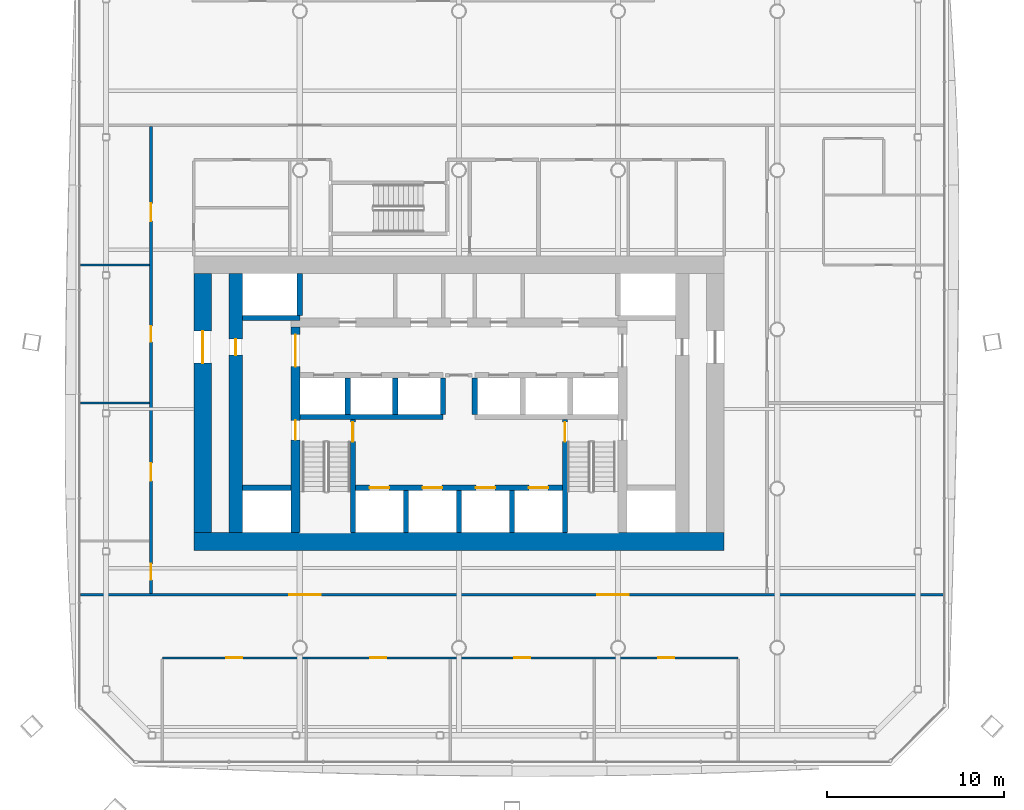
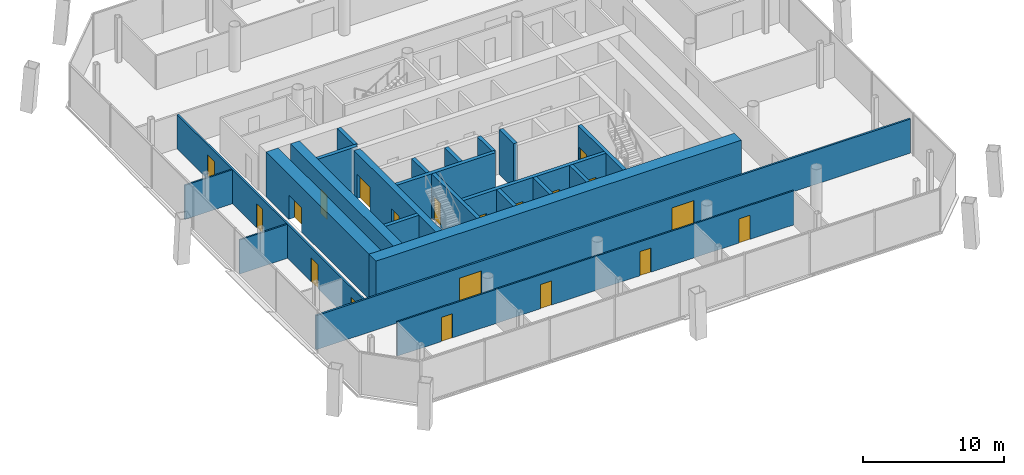
# One storey, part 11 of 19: 23 walls, 20 doors, 20 openings.
"""IFC4 building model written with IfcOpenShell, lengths in metres."""

from ifc_helpers import new_model, si_unit, direction, frame, frame_2d, origin, place, context, subcontext, project, spatial, rectangle, extrude, material, layer, layer_set, type_object, element, fill, save


model = new_model("IFC4")

# Units and contexts
model_context = context("Model", 3, precision=1e-05, world=origin(), true_north=direction((0.0, 1.0)))
body_context = subcontext(model_context, "Body", "Model", "MODEL_VIEW")
ifc_project = project(units=[si_unit("LENGTHUNIT", "METRE"), si_unit("AREAUNIT", "SQUARE_METRE"), si_unit("VOLUMEUNIT", "CUBIC_METRE"), si_unit("PLANEANGLEUNIT", "RADIAN"), si_unit("MASSUNIT", "GRAM", prefix="KILO")], contexts=[model_context])

# Site, building, storey
site_placement = place(None, origin())
site = spatial("IfcSite", under=ifc_project, at=site_placement, CompositionType="ELEMENT")
building_placement = place(site_placement, origin())
building = spatial("IfcBuilding", under=site, at=building_placement, Name="Tskaro Facet Tower", CompositionType="ELEMENT")
storey_placement = place(building_placement, frame((0.0, 0.0, 93.300048828125)))
storey = spatial("IfcBuildingStorey", under=building, at=storey_placement, Name="L22", CompositionType="ELEMENT", Elevation=93.300048828125)

# Wall
ifc_material_1 = material(Name="Concrete C60/75", Category="concrete")
ifc_layer_1 = layer(ifc_material_1, 0.300048828125, Name="Concrete C60/75")
ifc_layer_set_1 = layer_set([ifc_layer_1], Name="Concrete C60/75")
wall_type_1 = type_object("IfcWallType", Name="CORE-SHAFT", PredefinedType="SHEAR", material=ifc_layer_set_1)
wall_1_placement = place(storey_placement, frame((-12.25, -8.949951171875, 0.0), z_axis=(0.0, 0.0, 1.0), x_axis=(1.0, 0.0, 0.0)))
element("IfcWall", 1, at=wall_1_placement, inside=storey, type_object=wall_type_1, Name="Shaft wall W004", PredefinedType="SHEAR", context=body_context, shape_type="SweptSolid", body=[
    extrude(rectangle(XDim=2.75, YDim=0.300048828125, at=frame_2d((1.375, 0.0))), origin(), (0.0, 0.0, 1.0), 3.89990234375),
])

# Wall, openings, doors
wall_2_placement = place(storey_placement, frame((-5.85009765625, -8.949951171875, 0.0), z_axis=(0.0, 0.0, 1.0), x_axis=(1.0, 0.0, 0.0)))
wall_2 = element("IfcWall", 2, at=wall_2_placement, inside=storey, type_object=wall_type_1, Name="Shaft wall W005", PredefinedType="SHEAR", context=body_context, shape_type="SweptSolid", body=[
    extrude(rectangle(XDim=11.7001953125, YDim=0.300048828125, at=frame_2d((5.85009765625, 0.0))), origin(), (0.0, 0.0, 1.0), 3.89990234375),
])
opening_1_placement = place(wall_2_placement, frame((0.800048828125, 0.0, 0.0)))
opening_1 = element("IfcOpeningElement", 3, at=opening_1_placement, cuts=wall_2, Name="Opening LD-FF1", PredefinedType="OPENING", context=body_context, shape_type="SweptSolid", body=[
    extrude(rectangle(XDim=1.10009765625, YDim=2.10009765625, at=frame_2d((0.550048828125, 1.050048828125))), frame((0.0, 0.159912109375, 0.0), z_axis=(0.0, -1.0, 0.0), x_axis=(1.0, 0.0, 0.0)), (0.0, 0.0, 1.0), 0.320068359375),
])
opening_2_placement = place(wall_2_placement, frame((3.800048828125, 0.0, 0.0)))
opening_2 = element("IfcOpeningElement", 4, at=opening_2_placement, cuts=wall_2, Name="Opening LD-FF2", PredefinedType="OPENING", context=body_context, shape_type="SweptSolid", body=[
    extrude(rectangle(XDim=1.10009765625, YDim=2.10009765625, at=frame_2d((0.550048828125, 1.050048828125))), frame((0.0, 0.159912109375, 0.0), z_axis=(0.0, -1.0, 0.0), x_axis=(1.0, 0.0, 0.0)), (0.0, 0.0, 1.0), 0.320068359375),
])
opening_3_placement = place(wall_2_placement, frame((6.800048828125, 0.0, 0.0)))
opening_3 = element("IfcOpeningElement", 5, at=opening_3_placement, cuts=wall_2, Name="Opening LD-SV1", PredefinedType="OPENING", context=body_context, shape_type="SweptSolid", body=[
    extrude(rectangle(XDim=1.10009765625, YDim=2.10009765625, at=frame_2d((0.550048828125, 1.050048828125))), frame((0.0, 0.159912109375, 0.0), z_axis=(0.0, -1.0, 0.0), x_axis=(1.0, 0.0, 0.0)), (0.0, 0.0, 1.0), 0.320068359375),
])
opening_4_placement = place(wall_2_placement, frame((9.800048828125, 0.0, 0.0)))
opening_4 = element("IfcOpeningElement", 6, at=opening_4_placement, cuts=wall_2, Name="Opening LD-SV2", PredefinedType="OPENING", context=body_context, shape_type="SweptSolid", body=[
    extrude(rectangle(XDim=1.10009765625, YDim=2.10009765625, at=frame_2d((0.550048828125, 1.050048828125))), frame((0.0, 0.159912109375, 0.0), z_axis=(0.0, -1.0, 0.0), x_axis=(1.0, 0.0, 0.0)), (0.0, 0.0, 1.0), 0.320068359375),
])
ifc_material_2 = material(Name="Stainless steel", Category="steel")
door_type_1 = type_object("IfcDoorType", Name="D-LANDING", OperationType="NOTDEFINED", PredefinedType="DOOR", material=ifc_material_2)
door_1_placement = place(opening_1_placement, origin())
door_1 = element("IfcDoor", 7, at=door_1_placement, inside=storey, type_object=door_type_1, Name="Landing door FF1", OperationType="DOUBLE_DOOR_SLIDING", OverallHeight=2.10009765625, OverallWidth=1.10009765625, PredefinedType="DOOR", context=body_context, shape_type="SweptSolid", body=[
    extrude(rectangle(XDim=1.10009765625, YDim=2.10009765625, at=frame_2d((0.550048828125, 1.050048828125))), frame((0.0, 0.02490234375, 0.0), z_axis=(0.0, -1.0, 0.0), x_axis=(1.0, 0.0, 0.0)), (0.0, 0.0, 1.0), 0.050048828125),
])
fill(opening_1, door_1)
door_2_placement = place(opening_2_placement, origin())
door_2 = element("IfcDoor", 8, at=door_2_placement, inside=storey, type_object=door_type_1, Name="Landing door FF2", OperationType="DOUBLE_DOOR_SLIDING", OverallHeight=2.10009765625, OverallWidth=1.10009765625, PredefinedType="DOOR", context=body_context, shape_type="SweptSolid", body=[
    extrude(rectangle(XDim=1.10009765625, YDim=2.10009765625, at=frame_2d((0.550048828125, 1.050048828125))), frame((0.0, 0.02490234375, 0.0), z_axis=(0.0, -1.0, 0.0), x_axis=(1.0, 0.0, 0.0)), (0.0, 0.0, 1.0), 0.050048828125),
])
fill(opening_2, door_2)
door_3_placement = place(opening_3_placement, origin())
door_3 = element("IfcDoor", 9, at=door_3_placement, inside=storey, type_object=door_type_1, Name="Landing door SV1", OperationType="DOUBLE_DOOR_SLIDING", OverallHeight=2.10009765625, OverallWidth=1.10009765625, PredefinedType="DOOR", context=body_context, shape_type="SweptSolid", body=[
    extrude(rectangle(XDim=1.10009765625, YDim=2.10009765625, at=frame_2d((0.550048828125, 1.050048828125))), frame((0.0, 0.02490234375, 0.0), z_axis=(0.0, -1.0, 0.0), x_axis=(1.0, 0.0, 0.0)), (0.0, 0.0, 1.0), 0.050048828125),
])
fill(opening_3, door_3)
door_4_placement = place(opening_4_placement, origin())
door_4 = element("IfcDoor", 10, at=door_4_placement, inside=storey, type_object=door_type_1, Name="Landing door SV2", OperationType="DOUBLE_DOOR_SLIDING", OverallHeight=2.10009765625, OverallWidth=1.10009765625, PredefinedType="DOOR", context=body_context, shape_type="SweptSolid", body=[
    extrude(rectangle(XDim=1.10009765625, YDim=2.10009765625, at=frame_2d((0.550048828125, 1.050048828125))), frame((0.0, 0.02490234375, 0.0), z_axis=(0.0, -1.0, 0.0), x_axis=(1.0, 0.0, 0.0)), (0.0, 0.0, 1.0), 0.050048828125),
])
fill(opening_4, door_4)

# Walls
wall_3_placement = place(storey_placement, frame((-9.0, -4.949951171875, 0.0), z_axis=(0.0, 0.0, 1.0), x_axis=(1.0, 0.0, 0.0)))
element("IfcWall", 11, at=wall_3_placement, inside=storey, type_object=wall_type_1, Name="Shaft wall W007", PredefinedType="SHEAR", context=body_context, shape_type="SweptSolid", body=[
    extrude(rectangle(XDim=8.10009765625, YDim=0.300048828125, at=frame_2d((4.050048828125, 0.0))), origin(), (0.0, 0.0, 1.0), 3.89990234375),
])
wall_4_placement = place(storey_placement, frame((-9.0, 0.64990234375, 0.0), z_axis=(0.0, 0.0, 1.0), x_axis=(-1.0, 0.0, 0.0)))
element("IfcWall", 12, at=wall_4_placement, inside=storey, type_object=wall_type_1, Name="Shaft wall W014", PredefinedType="SHEAR", context=body_context, shape_type="SweptSolid", body=[
    extrude(rectangle(XDim=3.25, YDim=0.300048828125, at=frame_2d((1.625, 0.0))), origin(), (0.0, 0.0, 1.0), 3.89990234375),
])
wall_5_placement = place(storey_placement, frame((-9.0, 0.800048828125, 0.0), z_axis=(0.0, 0.0, 1.0), x_axis=(0.0, 1.0, 0.0)))
element("IfcWall", 13, at=wall_5_placement, inside=storey, type_object=wall_type_1, Name="Shaft wall W033", PredefinedType="SHEAR", context=body_context, shape_type="SweptSolid", body=[
    extrude(rectangle(XDim=2.349853515625, YDim=0.300048828125, at=frame_2d((1.1748046875, 0.0))), origin(), (0.0, 0.0, 1.0), 3.89990234375),
])
wall_6_placement = place(storey_placement, frame((-6.300048828125, -4.800048828125, 0.0), z_axis=(0.0, 0.0, 1.0), x_axis=(0.0, 1.0, 0.0)))
element("IfcWall", 14, at=wall_6_placement, inside=storey, type_object=wall_type_1, Name="Shaft wall W039", PredefinedType="SHEAR", context=body_context, shape_type="SweptSolid", body=[
    extrude(rectangle(XDim=2.050048828125, YDim=0.300048828125, at=frame_2d((1.02490234375, 0.0))), origin(), (0.0, 0.0, 1.0), 3.89990234375),
])

# Wall, opening, door
wall_7_placement = place(storey_placement, frame((-6.0, -11.5, 0.0), z_axis=(0.0, 0.0, 1.0), x_axis=(0.0, 1.0, 0.0)))
wall_7 = element("IfcWall", 15, at=wall_7_placement, inside=storey, type_object=wall_type_1, Name="Shaft wall W040", PredefinedType="SHEAR", context=body_context, shape_type="SweptSolid", body=[
    extrude(rectangle(XDim=6.39990234375, YDim=0.300048828125, at=frame_2d((3.199951171875, 0.0))), origin(), (0.0, 0.0, 1.0), 3.89990234375),
])
opening_5_placement = place(wall_7_placement, frame((5.14990234375, 0.0, 0.0)))
opening_5 = element("IfcOpeningElement", 16, at=opening_5_placement, cuts=wall_7, Name="Opening ST-1-D1", PredefinedType="OPENING", context=body_context, shape_type="SweptSolid", body=[
    extrude(rectangle(XDim=1.10009765625, YDim=2.10009765625, at=frame_2d((0.550048828125, 1.050048828125))), frame((0.0, 0.159912109375, 0.0), z_axis=(0.0, -1.0, 0.0), x_axis=(1.0, 0.0, 0.0)), (0.0, 0.0, 1.0), 0.320068359375),
])
ifc_material_3 = material(Name="Steel", Category="steel")
door_type_2 = type_object("IfcDoorType", Name="D-STAIR", OperationType="NOTDEFINED", PredefinedType="DOOR", material=ifc_material_3)
door_5_placement = place(opening_5_placement, origin())
door_5 = element("IfcDoor", 17, at=door_5_placement, inside=storey, type_object=door_type_2, Name="Stair door 1", OperationType="SINGLE_SWING_LEFT", OverallHeight=2.10009765625, OverallWidth=1.10009765625, PredefinedType="DOOR", context=body_context, shape_type="SweptSolid", body=[
    extrude(rectangle(XDim=1.10009765625, YDim=2.10009765625, at=frame_2d((0.550048828125, 1.050048828125))), frame((0.0, 0.02490234375, 0.0), z_axis=(0.0, -1.0, 0.0), x_axis=(1.0, 0.0, 0.0)), (0.0, 0.0, 1.0), 0.050048828125),
])
fill(opening_5, door_5)

# Walls
wall_8_placement = place(storey_placement, frame((-3.60009765625, -4.800048828125, 0.0), z_axis=(0.0, 0.0, 1.0), x_axis=(0.0, 1.0, 0.0)))
element("IfcWall", 18, at=wall_8_placement, inside=storey, type_object=wall_type_1, Name="Shaft wall W041", PredefinedType="SHEAR", context=body_context, shape_type="SweptSolid", body=[
    extrude(rectangle(XDim=2.050048828125, YDim=0.300048828125, at=frame_2d((1.02490234375, 0.0))), origin(), (0.0, 0.0, 1.0), 3.89990234375),
])
wall_9_placement = place(storey_placement, frame((-3.0, -11.5, 0.0), z_axis=(0.0, 0.0, 1.0), x_axis=(0.0, 1.0, 0.0)))
element("IfcWall", 19, at=wall_9_placement, inside=storey, type_object=wall_type_1, Name="Shaft wall W043", PredefinedType="SHEAR", context=body_context, shape_type="SweptSolid", body=[
    extrude(rectangle(XDim=2.39990234375, YDim=0.300048828125, at=frame_2d((1.199951171875, 0.0))), origin(), (0.0, 0.0, 1.0), 3.89990234375),
])
wall_10_placement = place(storey_placement, frame((-0.89990234375, -4.800048828125, 0.0), z_axis=(0.0, 0.0, 1.0), x_axis=(0.0, 1.0, 0.0)))
element("IfcWall", 20, at=wall_10_placement, inside=storey, type_object=wall_type_1, Name="Shaft wall W044", PredefinedType="SHEAR", context=body_context, shape_type="SweptSolid", body=[
    extrude(rectangle(XDim=2.050048828125, YDim=0.300048828125, at=frame_2d((1.02490234375, 0.0))), origin(), (0.0, 0.0, 1.0), 3.89990234375),
])
wall_11_placement = place(storey_placement, frame((0.0, -11.5, 0.0), z_axis=(0.0, 0.0, 1.0), x_axis=(0.0, 1.0, 0.0)))
element("IfcWall", 21, at=wall_11_placement, inside=storey, type_object=wall_type_1, Name="Shaft wall W049", PredefinedType="SHEAR", context=body_context, shape_type="SweptSolid", body=[
    extrude(rectangle(XDim=2.39990234375, YDim=0.300048828125, at=frame_2d((1.199951171875, 0.0))), origin(), (0.0, 0.0, 1.0), 3.89990234375),
])
wall_12_placement = place(storey_placement, frame((0.89990234375, -4.800048828125, 0.0), z_axis=(0.0, 0.0, 1.0), x_axis=(0.0, 1.0, 0.0)))
element("IfcWall", 22, at=wall_12_placement, inside=storey, type_object=wall_type_1, Name="Shaft wall W051", PredefinedType="SHEAR", context=body_context, shape_type="SweptSolid", body=[
    extrude(rectangle(XDim=2.050048828125, YDim=0.300048828125, at=frame_2d((1.02490234375, 0.0))), origin(), (0.0, 0.0, 1.0), 3.89990234375),
])
wall_13_placement = place(storey_placement, frame((3.0, -11.5, 0.0), z_axis=(0.0, 0.0, 1.0), x_axis=(0.0, 1.0, 0.0)))
element("IfcWall", 23, at=wall_13_placement, inside=storey, type_object=wall_type_1, Name="Shaft wall W053", PredefinedType="SHEAR", context=body_context, shape_type="SweptSolid", body=[
    extrude(rectangle(XDim=2.39990234375, YDim=0.300048828125, at=frame_2d((1.199951171875, 0.0))), origin(), (0.0, 0.0, 1.0), 3.89990234375),
])

# Wall, opening, door
wall_14_placement = place(storey_placement, frame((6.0, -5.10009765625, 0.0), z_axis=(0.0, 0.0, 1.0), x_axis=(0.0, -1.0, 0.0)))
wall_14 = element("IfcWall", 24, at=wall_14_placement, inside=storey, type_object=wall_type_1, Name="Shaft wall W057", PredefinedType="SHEAR", context=body_context, shape_type="SweptSolid", body=[
    extrude(rectangle(XDim=6.39990234375, YDim=0.300048828125, at=frame_2d((3.199951171875, 0.0))), origin(), (0.0, 0.0, 1.0), 3.89990234375),
])
opening_6_placement = place(wall_14_placement, frame((0.14990234375, 0.0, 0.0)))
opening_6 = element("IfcOpeningElement", 25, at=opening_6_placement, cuts=wall_14, Name="Opening ST-2-D1", PredefinedType="OPENING", context=body_context, shape_type="SweptSolid", body=[
    extrude(rectangle(XDim=1.10009765625, YDim=2.10009765625, at=frame_2d((0.550048828125, 1.050048828125))), frame((0.0, 0.159912109375, 0.0), z_axis=(0.0, -1.0, 0.0), x_axis=(1.0, 0.0, 0.0)), (0.0, 0.0, 1.0), 0.320068359375),
])
door_6_placement = place(opening_6_placement, origin())
door_6 = element("IfcDoor", 26, at=door_6_placement, inside=storey, type_object=door_type_2, Name="Stair door 2", OperationType="SINGLE_SWING_RIGHT", OverallHeight=2.10009765625, OverallWidth=1.10009765625, PredefinedType="DOOR", context=body_context, shape_type="SweptSolid", body=[
    extrude(rectangle(XDim=1.10009765625, YDim=2.10009765625, at=frame_2d((0.550048828125, 1.050048828125))), frame((0.0, 0.02490234375, 0.0), z_axis=(0.0, -1.0, 0.0), x_axis=(1.0, 0.0, 0.0)), (0.0, 0.0, 1.0), 0.050048828125),
])
fill(opening_6, door_6)

# Wall
ifc_layer_2 = layer(ifc_material_1, 1.0, Name="Concrete C60/75")
ifc_layer_set_2 = layer_set([ifc_layer_2], Name="Concrete C60/75")
wall_type_2 = type_object("IfcWallType", Name="Core wall 1000", PredefinedType="SHEAR", material=ifc_layer_set_2)
wall_15_placement = place(storey_placement, frame((-15.0, -12.0, 0.0), z_axis=(0.0, 0.0, 1.0), x_axis=(1.0, 0.0, 0.0)))
element("IfcWall", 27, at=wall_15_placement, inside=storey, type_object=wall_type_2, Name="Core wall CW-Z1S", PredefinedType="SHEAR", context=body_context, shape_type="SweptSolid", body=[
    extrude(rectangle(XDim=30.0, YDim=1.0, at=frame_2d((15.0, 0.0))), origin(), (0.0, 0.0, 1.0), 3.89990234375),
])

# Wall, opening, door
wall_16_placement = place(storey_placement, frame((-14.5, -11.5, 0.0), z_axis=(0.0, 0.0, 1.0), x_axis=(0.0, 1.0, 0.0)))
wall_16 = element("IfcWall", 28, at=wall_16_placement, inside=storey, type_object=wall_type_2, Name="Core wall CW-Z1W", PredefinedType="SHEAR", context=body_context, shape_type="SweptSolid", body=[
    extrude(rectangle(XDim=14.64990234375, YDim=1.0, at=frame_2d((7.324951171875, 0.0))), origin(), (0.0, 0.0, 1.0), 3.89990234375),
])
opening_7_placement = place(wall_16_placement, frame((9.60009765625, 0.0, 0.0)))
opening_7 = element("IfcOpeningElement", 29, at=opening_7_placement, cuts=wall_16, Name="Opening T6-D15", PredefinedType="OPENING", context=body_context, shape_type="SweptSolid", body=[
    extrude(rectangle(XDim=1.800048828125, YDim=2.10009765625, at=frame_2d((0.89990234375, 1.050048828125))), frame((0.0, 0.510009765625, 0.0), z_axis=(0.0, -1.0, 0.0), x_axis=(1.0, 0.0, 0.0)), (0.0, 0.0, 1.0), 1.02001953125),
])
door_type_3 = type_object("IfcDoorType", Name="D-CORE-PAIR", OperationType="NOTDEFINED", PredefinedType="DOOR", material=ifc_material_3)
door_7_placement = place(opening_7_placement, origin())
door_7 = element("IfcDoor", 30, at=door_7_placement, inside=storey, type_object=door_type_3, Name="Door T6-D15", OperationType="DOUBLE_DOOR_SINGLE_SWING", OverallHeight=2.10009765625, OverallWidth=1.800048828125, PredefinedType="DOOR", context=body_context, shape_type="SweptSolid", body=[
    extrude(rectangle(XDim=1.800048828125, YDim=2.10009765625, at=frame_2d((0.89990234375, 1.050048828125))), frame((0.0, 0.02490234375, 0.0), z_axis=(0.0, -1.0, 0.0), x_axis=(1.0, 0.0, 0.0)), (0.0, 0.0, 1.0), 0.050048828125),
])
fill(opening_7, door_7)

# Wall, openings, doors
ifc_material_4 = material(Name="Concrete C40/50", Category="concrete")
ifc_layer_3 = layer(ifc_material_4, 0.5, Name="Concrete C40/50")
ifc_layer_set_3 = layer_set([ifc_layer_3], Name="Concrete C40/50")
wall_type_3 = type_object("IfcWallType", Name="Core wall 500", PredefinedType="SHEAR", material=ifc_layer_set_3)
wall_17_placement = place(storey_placement, frame((-9.25, -11.5, 0.0), z_axis=(0.0, 0.0, 1.0), x_axis=(0.0, 1.0, 0.0)))
wall_17 = element("IfcWall", 31, at=wall_17_placement, inside=storey, type_object=wall_type_3, Name="Core wall CW-Z3W", PredefinedType="SHEAR", context=body_context, shape_type="SweptSolid", body=[
    extrude(rectangle(XDim=11.64990234375, YDim=0.5, at=frame_2d((5.824951171875, 0.0))), origin(), (0.0, 0.0, 1.0), 3.89990234375),
])
opening_8_placement = place(wall_17_placement, frame((9.39990234375, 0.0, 0.0)))
opening_8 = element("IfcOpeningElement", 32, at=opening_8_placement, cuts=wall_17, Name="Opening T6-D13", PredefinedType="OPENING", context=body_context, shape_type="SweptSolid", body=[
    extrude(rectangle(XDim=1.800048828125, YDim=2.10009765625, at=frame_2d((0.89990234375, 1.050048828125))), frame((0.0, 0.260009765625, 0.0), z_axis=(0.0, -1.0, 0.0), x_axis=(1.0, 0.0, 0.0)), (0.0, 0.0, 1.0), 0.52001953125),
])
opening_9_placement = place(wall_17_placement, frame((5.25, 0.0, 0.0)))
opening_9 = element("IfcOpeningElement", 33, at=opening_9_placement, cuts=wall_17, Name="Opening ST-1-D2", PredefinedType="OPENING", context=body_context, shape_type="SweptSolid", body=[
    extrude(rectangle(XDim=1.10009765625, YDim=2.10009765625, at=frame_2d((0.550048828125, 1.050048828125))), frame((0.0, 0.260009765625, 0.0), z_axis=(0.0, -1.0, 0.0), x_axis=(1.0, 0.0, 0.0)), (0.0, 0.0, 1.0), 0.52001953125),
])
door_8_placement = place(opening_8_placement, origin())
door_8 = element("IfcDoor", 34, at=door_8_placement, inside=storey, type_object=door_type_3, Name="Door T6-D13", OperationType="DOUBLE_DOOR_SINGLE_SWING", OverallHeight=2.10009765625, OverallWidth=1.800048828125, PredefinedType="DOOR", context=body_context, shape_type="SweptSolid", body=[
    extrude(rectangle(XDim=1.800048828125, YDim=2.10009765625, at=frame_2d((0.89990234375, 1.050048828125))), frame((0.0, 0.02490234375, 0.0), z_axis=(0.0, -1.0, 0.0), x_axis=(1.0, 0.0, 0.0)), (0.0, 0.0, 1.0), 0.050048828125),
])
fill(opening_8, door_8)
door_9_placement = place(opening_9_placement, origin())
door_9 = element("IfcDoor", 35, at=door_9_placement, inside=storey, type_object=door_type_2, Name="Stair door 1 west", OperationType="SINGLE_SWING_LEFT", OverallHeight=2.10009765625, OverallWidth=1.10009765625, PredefinedType="DOOR", context=body_context, shape_type="SweptSolid", body=[
    extrude(rectangle(XDim=1.10009765625, YDim=2.10009765625, at=frame_2d((0.550048828125, 1.050048828125))), frame((0.0, 0.02490234375, 0.0), z_axis=(0.0, -1.0, 0.0), x_axis=(1.0, 0.0, 0.0)), (0.0, 0.0, 1.0), 0.050048828125),
])
fill(opening_9, door_9)

# Wall, opening, door
ifc_material_5 = material(Name="Concrete C50/60", Category="concrete")
ifc_layer_4 = layer(ifc_material_5, 0.75, Name="Concrete C50/60")
ifc_layer_set_4 = layer_set([ifc_layer_4], Name="Concrete C50/60")
wall_type_4 = type_object("IfcWallType", Name="Core wall 750", PredefinedType="SHEAR", material=ifc_layer_set_4)
wall_18_placement = place(storey_placement, frame((-12.625, -11.5, 0.0), z_axis=(0.0, 0.0, 1.0), x_axis=(0.0, 1.0, 0.0)))
wall_18 = element("IfcWall", 36, at=wall_18_placement, inside=storey, type_object=wall_type_4, Name="Core wall CW-Z2W", PredefinedType="SHEAR", context=body_context, shape_type="SweptSolid", body=[
    extrude(rectangle(XDim=14.64990234375, YDim=0.75, at=frame_2d((7.324951171875, 0.0))), origin(), (0.0, 0.0, 1.0), 3.89990234375),
])
opening_10_placement = place(wall_18_placement, frame((10.050048828125, 0.0, 0.0)))
opening_10 = element("IfcOpeningElement", 37, at=opening_10_placement, cuts=wall_18, Name="Opening T6-D16", PredefinedType="OPENING", context=body_context, shape_type="SweptSolid", body=[
    extrude(rectangle(XDim=0.89990234375, YDim=2.10009765625, at=frame_2d((0.449951171875, 1.050048828125))), frame((0.0, 0.385009765625, 0.0), z_axis=(0.0, -1.0, 0.0), x_axis=(1.0, 0.0, 0.0)), (0.0, 0.0, 1.0), 0.77001953125),
])
ifc_material_6 = material(Name="Timber", Category="wood")
door_type_4 = type_object("IfcDoorType", Name="D-ROOM", OperationType="NOTDEFINED", PredefinedType="DOOR", material=ifc_material_6)
door_10_placement = place(opening_10_placement, origin())
door_10 = element("IfcDoor", 38, at=door_10_placement, inside=storey, type_object=door_type_4, Name="Door T6-D16", OperationType="SINGLE_SWING_LEFT", OverallHeight=2.10009765625, OverallWidth=0.89990234375, PredefinedType="DOOR", context=body_context, shape_type="SweptSolid", body=[
    extrude(rectangle(XDim=0.89990234375, YDim=2.10009765625, at=frame_2d((0.449951171875, 1.050048828125))), frame((0.0, 0.02490234375, 0.0), z_axis=(0.0, -1.0, 0.0), x_axis=(1.0, 0.0, 0.0)), (0.0, 0.0, 1.0), 0.050048828125),
])
fill(opening_10, door_10)

# Wall, openings, doors
ifc_material_7 = material(Name="Gypsum board on steel studs", Category="steel")
ifc_layer_5 = layer(ifc_material_7, 0.125, Name="Gypsum board on steel studs")
ifc_layer_set_5 = layer_set([ifc_layer_5], Name="Gypsum board on steel studs")
wall_type_5 = type_object("IfcWallType", Name="PART", PredefinedType="PARTITIONING", material=ifc_layer_set_5)
wall_19_placement = place(storey_placement, frame((15.798095703125, -18.580078125, 0.0), z_axis=(0.0, 0.0, 1.0), x_axis=(-1.0, 0.0, 0.0)))
wall_19 = element("IfcWall", 39, at=wall_19_placement, inside=storey, type_object=wall_type_5, Name="Partition W001", PredefinedType="PARTITIONING", context=body_context, shape_type="SweptSolid", body=[
    extrude(rectangle(XDim=32.58203125, YDim=0.125, at=frame_2d((16.291015625, 0.0))), origin(), (0.0, 0.0, 1.0), 2.9599609375),
])
opening_11_placement = place(wall_19_placement, frame((28.05908203125, 0.0, 0.0)))
opening_11 = element("IfcOpeningElement", 40, at=opening_11_placement, cuts=wall_19, Name="Opening T6-D01", PredefinedType="OPENING", context=body_context, shape_type="SweptSolid", body=[
    extrude(rectangle(XDim=0.89990234375, YDim=2.10009765625, at=frame_2d((0.449951171875, 1.050048828125))), frame((0.0, 0.072509765625, 0.0), z_axis=(0.0, -1.0, 0.0), x_axis=(1.0, 0.0, 0.0)), (0.0, 0.0, 1.0), 0.14501953125),
])
opening_12_placement = place(wall_19_placement, frame((19.91357421875, 0.0, 0.0)))
opening_12 = element("IfcOpeningElement", 41, at=opening_12_placement, cuts=wall_19, Name="Opening T6-D02", PredefinedType="OPENING", context=body_context, shape_type="SweptSolid", body=[
    extrude(rectangle(XDim=0.89990234375, YDim=2.10009765625, at=frame_2d((0.449951171875, 1.050048828125))), frame((0.0, 0.072509765625, 0.0), z_axis=(0.0, -1.0, 0.0), x_axis=(1.0, 0.0, 0.0)), (0.0, 0.0, 1.0), 0.14501953125),
])
opening_13_placement = place(wall_19_placement, frame((11.76806640625, 0.0, 0.0)))
opening_13 = element("IfcOpeningElement", 42, at=opening_13_placement, cuts=wall_19, Name="Opening T6-D03", PredefinedType="OPENING", context=body_context, shape_type="SweptSolid", body=[
    extrude(rectangle(XDim=0.89990234375, YDim=2.10009765625, at=frame_2d((0.449951171875, 1.050048828125))), frame((0.0, 0.072509765625, 0.0), z_axis=(0.0, -1.0, 0.0), x_axis=(1.0, 0.0, 0.0)), (0.0, 0.0, 1.0), 0.14501953125),
])
opening_14_placement = place(wall_19_placement, frame((3.62255859375, 0.0, 0.0)))
opening_14 = element("IfcOpeningElement", 43, at=opening_14_placement, cuts=wall_19, Name="Opening T6-D04", PredefinedType="OPENING", context=body_context, shape_type="SweptSolid", body=[
    extrude(rectangle(XDim=0.89990234375, YDim=2.10009765625, at=frame_2d((0.449951171875, 1.050048828125))), frame((0.0, 0.072509765625, 0.0), z_axis=(0.0, -1.0, 0.0), x_axis=(1.0, 0.0, 0.0)), (0.0, 0.0, 1.0), 0.14501953125),
])
door_11_placement = place(opening_11_placement, origin())
door_11 = element("IfcDoor", 44, at=door_11_placement, inside=storey, type_object=door_type_4, Name="Door T6-D01", OperationType="SINGLE_SWING_RIGHT", OverallHeight=2.10009765625, OverallWidth=0.89990234375, PredefinedType="DOOR", context=body_context, shape_type="SweptSolid", body=[
    extrude(rectangle(XDim=0.89990234375, YDim=2.10009765625, at=frame_2d((0.449951171875, 1.050048828125))), frame((0.0, 0.02490234375, 0.0), z_axis=(0.0, -1.0, 0.0), x_axis=(1.0, 0.0, 0.0)), (0.0, 0.0, 1.0), 0.050048828125),
])
fill(opening_11, door_11)
door_12_placement = place(opening_12_placement, origin())
door_12 = element("IfcDoor", 45, at=door_12_placement, inside=storey, type_object=door_type_4, Name="Door T6-D02", OperationType="SINGLE_SWING_RIGHT", OverallHeight=2.10009765625, OverallWidth=0.89990234375, PredefinedType="DOOR", context=body_context, shape_type="SweptSolid", body=[
    extrude(rectangle(XDim=0.89990234375, YDim=2.10009765625, at=frame_2d((0.449951171875, 1.050048828125))), frame((0.0, 0.02490234375, 0.0), z_axis=(0.0, -1.0, 0.0), x_axis=(1.0, 0.0, 0.0)), (0.0, 0.0, 1.0), 0.050048828125),
])
fill(opening_12, door_12)
door_13_placement = place(opening_13_placement, origin())
door_13 = element("IfcDoor", 46, at=door_13_placement, inside=storey, type_object=door_type_4, Name="Door T6-D03", OperationType="SINGLE_SWING_RIGHT", OverallHeight=2.10009765625, OverallWidth=0.89990234375, PredefinedType="DOOR", context=body_context, shape_type="SweptSolid", body=[
    extrude(rectangle(XDim=0.89990234375, YDim=2.10009765625, at=frame_2d((0.449951171875, 1.050048828125))), frame((0.0, 0.02490234375, 0.0), z_axis=(0.0, -1.0, 0.0), x_axis=(1.0, 0.0, 0.0)), (0.0, 0.0, 1.0), 0.050048828125),
])
fill(opening_13, door_13)
door_14_placement = place(opening_14_placement, origin())
door_14 = element("IfcDoor", 47, at=door_14_placement, inside=storey, type_object=door_type_4, Name="Door T6-D04", OperationType="SINGLE_SWING_RIGHT", OverallHeight=2.10009765625, OverallWidth=0.89990234375, PredefinedType="DOOR", context=body_context, shape_type="SweptSolid", body=[
    extrude(rectangle(XDim=0.89990234375, YDim=2.10009765625, at=frame_2d((0.449951171875, 1.050048828125))), frame((0.0, 0.02490234375, 0.0), z_axis=(0.0, -1.0, 0.0), x_axis=(1.0, 0.0, 0.0)), (0.0, 0.0, 1.0), 0.050048828125),
])
fill(opening_14, door_14)

# Walls
for number, where, z_axis, x_axis, name in (
    (48, (-21.4130859375, -4.162109375, 0.0), (0.0, 0.0, 1.0), (1.0, 0.0, 0.0), "Partition W009"),
    (49, (-21.4130859375, 3.64794921875, 0.0), (0.0, 0.0, 1.0), (1.0, 0.0, 0.0), "Partition W016"),
):
    element("IfcWall", number, at=place(storey_placement, frame(where, z_axis=z_axis, x_axis=x_axis)), inside=storey, type_object=wall_type_5, Name=name, PredefinedType="PARTITIONING", context=body_context, shape_type="SweptSolid", body=[
        extrude(rectangle(XDim=3.9130859375, YDim=0.125, at=frame_2d((1.95654296875, 0.0))), origin(), (0.0, 0.0, 1.0), 2.9599609375),
    ])

# Wall, openings, doors
ifc_layer_6 = layer(ifc_material_7, 0.14990234375, Name="Gypsum board on steel studs")
ifc_layer_set_6 = layer_set([ifc_layer_6], Name="Gypsum board on steel studs")
wall_type_6 = type_object("IfcWallType", Name="PART-CORR", PredefinedType="PARTITIONING", material=ifc_layer_set_6)
wall_20_placement = place(storey_placement, frame((-21.4130859375, -15.0, 0.0), z_axis=(0.0, 0.0, 1.0), x_axis=(1.0, 0.0, 0.0)))
wall_20 = element("IfcWall", 50, at=wall_20_placement, inside=storey, type_object=wall_type_6, Name="Corridor wall W002", PredefinedType="PARTITIONING", context=body_context, shape_type="SweptSolid", body=[
    extrude(rectangle(XDim=48.826171875, YDim=0.14990234375, at=frame_2d((24.4130859375, 0.0))), origin(), (0.0, 0.0, 1.0), 2.9599609375),
])
opening_15_placement = place(wall_20_placement, frame((11.800048828125, 0.0, 0.0)))
opening_15 = element("IfcOpeningElement", 51, at=opening_15_placement, cuts=wall_20, Name="Opening T6-D05", PredefinedType="OPENING", context=body_context, shape_type="SweptSolid", body=[
    extrude(rectangle(XDim=1.800048828125, YDim=2.10009765625, at=frame_2d((0.89990234375, 1.050048828125))), frame((0.0, 0.0849609375, 0.0), z_axis=(0.0, -1.0, 0.0), x_axis=(1.0, 0.0, 0.0)), (0.0, 0.0, 1.0), 0.169921875),
])
opening_16_placement = place(wall_20_placement, frame((29.22607421875, 0.0, 0.0)))
opening_16 = element("IfcOpeningElement", 52, at=opening_16_placement, cuts=wall_20, Name="Opening T6-D06", PredefinedType="OPENING", context=body_context, shape_type="SweptSolid", body=[
    extrude(rectangle(XDim=1.800048828125, YDim=2.10009765625, at=frame_2d((0.89990234375, 1.050048828125))), frame((0.0, 0.0849609375, 0.0), z_axis=(0.0, -1.0, 0.0), x_axis=(1.0, 0.0, 0.0)), (0.0, 0.0, 1.0), 0.169921875),
])
ifc_material_8 = material(Name="Glass", Category="glass")
door_type_5 = type_object("IfcDoorType", Name="D-ENTRY-PAIR", OperationType="NOTDEFINED", PredefinedType="DOOR", material=ifc_material_8)
door_15_placement = place(opening_15_placement, origin())
door_15 = element("IfcDoor", 53, at=door_15_placement, inside=storey, type_object=door_type_5, Name="Door T6-D05", OperationType="DOUBLE_DOOR_SINGLE_SWING", OverallHeight=2.10009765625, OverallWidth=1.800048828125, PredefinedType="DOOR", context=body_context, shape_type="SweptSolid", body=[
    extrude(rectangle(XDim=1.800048828125, YDim=2.10009765625, at=frame_2d((0.89990234375, 1.050048828125))), frame((0.0, 0.02490234375, 0.0), z_axis=(0.0, -1.0, 0.0), x_axis=(1.0, 0.0, 0.0)), (0.0, 0.0, 1.0), 0.050048828125),
])
fill(opening_15, door_15)
door_16_placement = place(opening_16_placement, origin())
door_16 = element("IfcDoor", 54, at=door_16_placement, inside=storey, type_object=door_type_5, Name="Door T6-D06", OperationType="DOUBLE_DOOR_SINGLE_SWING", OverallHeight=2.10009765625, OverallWidth=1.800048828125, PredefinedType="DOOR", context=body_context, shape_type="SweptSolid", body=[
    extrude(rectangle(XDim=1.800048828125, YDim=2.10009765625, at=frame_2d((0.89990234375, 1.050048828125))), frame((0.0, 0.02490234375, 0.0), z_axis=(0.0, -1.0, 0.0), x_axis=(1.0, 0.0, 0.0)), (0.0, 0.0, 1.0), 0.050048828125),
])
fill(opening_16, door_16)

wall_21_placement = place(storey_placement, frame((-17.425048828125, -14.925048828125, 0.0), z_axis=(0.0, 0.0, 1.0), x_axis=(0.0, 1.0, 0.0)))
wall_21 = element("IfcWall", 55, at=wall_21_placement, inside=storey, type_object=wall_type_6, Name="Corridor wall W028", PredefinedType="PARTITIONING", context=body_context, shape_type="SweptSolid", body=[
    extrude(rectangle(XDim=26.405029296875, YDim=0.14990234375, at=frame_2d((13.20263671875, 0.0))), origin(), (0.0, 0.0, 1.0), 2.9599609375),
])
opening_17_placement = place(wall_21_placement, frame((0.762451171875, 0.0, 0.0)))
opening_17 = element("IfcOpeningElement", 56, at=opening_17_placement, cuts=wall_21, Name="Opening T6-D07", PredefinedType="OPENING", context=body_context, shape_type="SweptSolid", body=[
    extrude(rectangle(XDim=0.89990234375, YDim=2.10009765625, at=frame_2d((0.449951171875, 1.050048828125))), frame((0.0, 0.0849609375, 0.0), z_axis=(0.0, -1.0, 0.0), x_axis=(1.0, 0.0, 0.0)), (0.0, 0.0, 1.0), 0.169921875),
])
opening_18_placement = place(wall_21_placement, frame((6.357421875, 0.0, 0.0)))
opening_18 = element("IfcOpeningElement", 57, at=opening_18_placement, cuts=wall_21, Name="Opening T6-D11", PredefinedType="OPENING", context=body_context, shape_type="SweptSolid", body=[
    extrude(rectangle(XDim=1.0, YDim=2.10009765625, at=frame_2d((0.5, 1.050048828125))), frame((0.0, 0.0849609375, 0.0), z_axis=(0.0, -1.0, 0.0), x_axis=(1.0, 0.0, 0.0)), (0.0, 0.0, 1.0), 0.169921875),
])
opening_19_placement = place(wall_21_placement, frame((14.218017578125, 0.0, 0.0)))
opening_19 = element("IfcOpeningElement", 58, at=opening_19_placement, cuts=wall_21, Name="Opening T6-D19", PredefinedType="OPENING", context=body_context, shape_type="SweptSolid", body=[
    extrude(rectangle(XDim=0.89990234375, YDim=2.10009765625, at=frame_2d((0.449951171875, 1.050048828125))), frame((0.0, 0.0849609375, 0.0), z_axis=(0.0, -1.0, 0.0), x_axis=(1.0, 0.0, 0.0)), (0.0, 0.0, 1.0), 0.169921875),
])
opening_20_placement = place(wall_21_placement, frame((21.051513671875, 0.0, 0.0)))
opening_20 = element("IfcOpeningElement", 59, at=opening_20_placement, cuts=wall_21, Name="Opening T6-D30", PredefinedType="OPENING", context=body_context, shape_type="SweptSolid", body=[
    extrude(rectangle(XDim=1.0, YDim=2.10009765625, at=frame_2d((0.5, 1.050048828125))), frame((0.0, 0.0849609375, 0.0), z_axis=(0.0, -1.0, 0.0), x_axis=(1.0, 0.0, 0.0)), (0.0, 0.0, 1.0), 0.169921875),
])
door_17_placement = place(opening_17_placement, origin())
door_17 = element("IfcDoor", 60, at=door_17_placement, inside=storey, type_object=door_type_4, Name="Door T6-D07", OperationType="SINGLE_SWING_LEFT", OverallHeight=2.10009765625, OverallWidth=0.89990234375, PredefinedType="DOOR", context=body_context, shape_type="SweptSolid", body=[
    extrude(rectangle(XDim=0.89990234375, YDim=2.10009765625, at=frame_2d((0.449951171875, 1.050048828125))), frame((0.0, 0.02490234375, 0.0), z_axis=(0.0, -1.0, 0.0), x_axis=(1.0, 0.0, 0.0)), (0.0, 0.0, 1.0), 0.050048828125),
])
fill(opening_17, door_17)
door_18_placement = place(opening_19_placement, origin())
door_18 = element("IfcDoor", 61, at=door_18_placement, inside=storey, type_object=door_type_4, Name="Door T6-D19", OperationType="SINGLE_SWING_LEFT", OverallHeight=2.10009765625, OverallWidth=0.89990234375, PredefinedType="DOOR", context=body_context, shape_type="SweptSolid", body=[
    extrude(rectangle(XDim=0.89990234375, YDim=2.10009765625, at=frame_2d((0.449951171875, 1.050048828125))), frame((0.0, 0.02490234375, 0.0), z_axis=(0.0, -1.0, 0.0), x_axis=(1.0, 0.0, 0.0)), (0.0, 0.0, 1.0), 0.050048828125),
])
fill(opening_19, door_18)
door_type_6 = type_object("IfcDoorType", Name="D-ROOM-WIDE", OperationType="NOTDEFINED", PredefinedType="DOOR", material=ifc_material_6)
door_19_placement = place(opening_18_placement, origin())
door_19 = element("IfcDoor", 62, at=door_19_placement, inside=storey, type_object=door_type_6, Name="Door T6-D11", OperationType="SINGLE_SWING_LEFT", OverallHeight=2.10009765625, OverallWidth=1.0, PredefinedType="DOOR", context=body_context, shape_type="SweptSolid", body=[
    extrude(rectangle(XDim=1.0, YDim=2.10009765625, at=frame_2d((0.5, 1.050048828125))), frame((0.0, 0.02490234375, 0.0), z_axis=(0.0, -1.0, 0.0), x_axis=(1.0, 0.0, 0.0)), (0.0, 0.0, 1.0), 0.050048828125),
])
fill(opening_18, door_19)
door_20_placement = place(opening_20_placement, origin())
door_20 = element("IfcDoor", 63, at=door_20_placement, inside=storey, type_object=door_type_6, Name="Door T6-D30", OperationType="SINGLE_SWING_LEFT", OverallHeight=2.10009765625, OverallWidth=1.0, PredefinedType="DOOR", context=body_context, shape_type="SweptSolid", body=[
    extrude(rectangle(XDim=1.0, YDim=2.10009765625, at=frame_2d((0.5, 1.050048828125))), frame((0.0, 0.02490234375, 0.0), z_axis=(0.0, -1.0, 0.0), x_axis=(1.0, 0.0, 0.0)), (0.0, 0.0, 1.0), 0.050048828125),
])
fill(opening_20, door_20)

save(model, "model.ifc")
